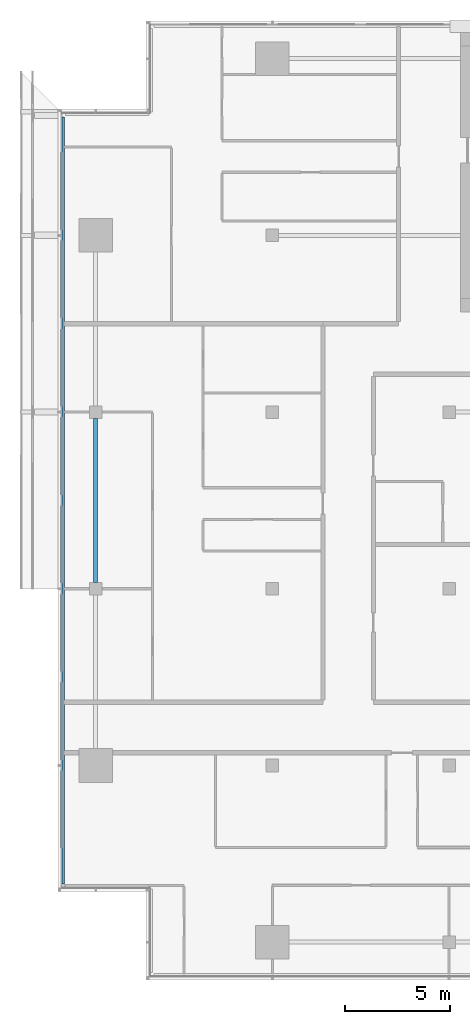
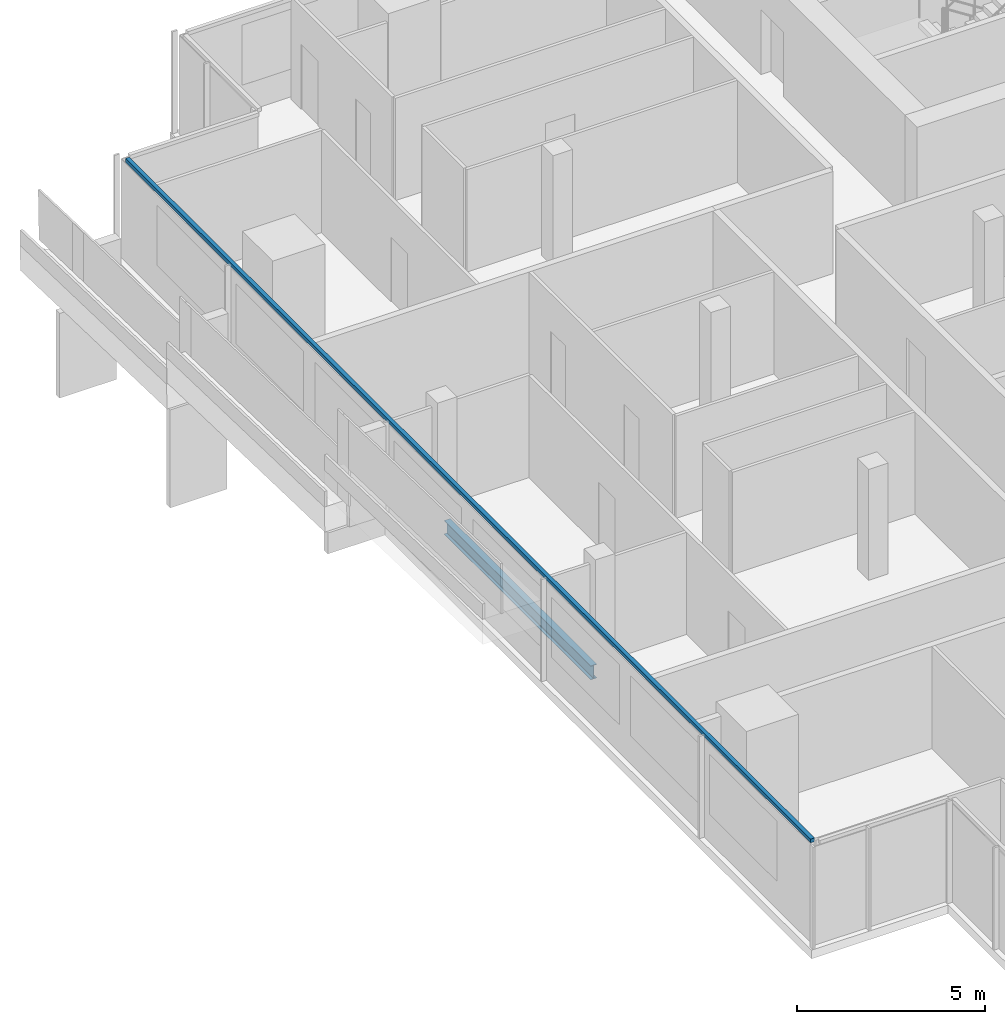
# One storey, part 3 of 28: 1 beam, 1 member, 1 element without a shape of its own.
"""IFC4 building model written with IfcOpenShell, lengths in metres."""

from ifc_helpers import new_model, si_unit, direction, frame, origin, origin_2d, place, context, subcontext, project, spatial, rectangle, i_section, extrude, material, material_profile, profile_set, type_object, element, aggregate, save


model = new_model("IFC4")

# Units and contexts
model_context = context("Model", 3, precision=1e-05, world=origin(), true_north=direction((0.0, 1.0)))
body_context = subcontext(model_context, "Body", "Model", "MODEL_VIEW")
ifc_project = project(units=[si_unit("LENGTHUNIT", "METRE"), si_unit("AREAUNIT", "SQUARE_METRE"), si_unit("VOLUMEUNIT", "CUBIC_METRE"), si_unit("PLANEANGLEUNIT", "RADIAN"), si_unit("MASSUNIT", "GRAM", prefix="KILO")], contexts=[model_context])

# Site, building, storey
site_placement = place(None, origin())
site = spatial("IfcSite", under=ifc_project, at=site_placement, CompositionType="ELEMENT")
building_placement = place(site_placement, origin())
building = spatial("IfcBuilding", under=site, at=building_placement, Name="Saffron Gate Tower", CompositionType="ELEMENT")
storey_placement = place(building_placement, frame((0.0, 0.0, 241.5)))
storey = spatial("IfcBuildingStorey", under=building, at=storey_placement, Name="L59", CompositionType="ELEMENT", Elevation=241.5)

# Beam
ifc_material_1 = material(Name="Structural steel S355", Category="steel")
ifc_material_profile_1 = material_profile(ifc_material_1, i_section(OverallWidth=0.18994140625, OverallDepth=0.449951171875, WebThickness=0.009521484375, FlangeThickness=0.0146484375, FilletRadius=0.02099609375, at=origin_2d()))
ifc_profile_set_1 = profile_set([ifc_material_profile_1], Name="Structural steel S355")
beam_type = type_object("IfcBeamType", Name="B7 IPE 450", PredefinedType="SPANDREL", material=ifc_profile_set_1)
beam_placement = place(storey_placement, frame((49.800048828125, 48.89990234375, -0.5048828125), z_axis=(0.0, 1.0, 0.0), x_axis=(-1.0, 0.0, 0.0)))
element("IfcBeam", 1, at=beam_placement, inside=storey, type_object=beam_type, Name="B7 SPANDREL BEAM", PredefinedType="SPANDREL", context=body_context, shape_type="SweptSolid", body=[
    extrude(i_section(OverallWidth=0.18994140625, OverallDepth=0.449951171875, WebThickness=0.009521484375, FlangeThickness=0.0146484375, FilletRadius=0.02099609375, at=origin_2d()), origin(), (0.0, 0.0, 1.0), 7.800048828125),
])

# Curtain wall, member
ifc_material_2 = material(Name="Aluminium, bronze anodised", Category="aluminium")
curtain_wall_type = type_object("IfcCurtainWallType", Name="CWS2 curtain wall side facades", PredefinedType="NOTDEFINED", material=ifc_material_2)
curtain_wall_placement = place(storey_placement, origin())
curtain_wall = element("IfcCurtainWall", 2, at=curtain_wall_placement, inside=storey, type_object=curtain_wall_type, Name="CWS2 run 10", PredefinedType="NOTDEFINED")
ifc_material_profile_2 = material_profile(ifc_material_2, rectangle(XDim=0.1201171875, YDim=0.1201171875, at=origin_2d()))
ifc_profile_set_2 = profile_set([ifc_material_profile_2], Name="Aluminium, bronze anodised")
member_type = type_object("IfcMemberType", Name="CWS2 head transom", PredefinedType="USERDEFINED", material=ifc_profile_set_2)
member_placement = place(storey_placement, frame((48.248046875, 71.031982421875, 3.260009765625), z_axis=(0.0, -1.0, 0.0), x_axis=(1.0, 0.0, 0.0)))
member = element("IfcMember", 3, at=member_placement, type_object=member_type, Name="CWS2 head transom", ObjectType="TRANSOM", PredefinedType="USERDEFINED", context=body_context, shape_type="SweptSolid", body=[
    extrude(rectangle(XDim=0.1201171875, YDim=0.1201171875, at=origin_2d()), origin(), (0.0, 0.0, 1.0), 36.4638671875),
])
aggregate(curtain_wall, [member])

save(model, "model.ifc")
